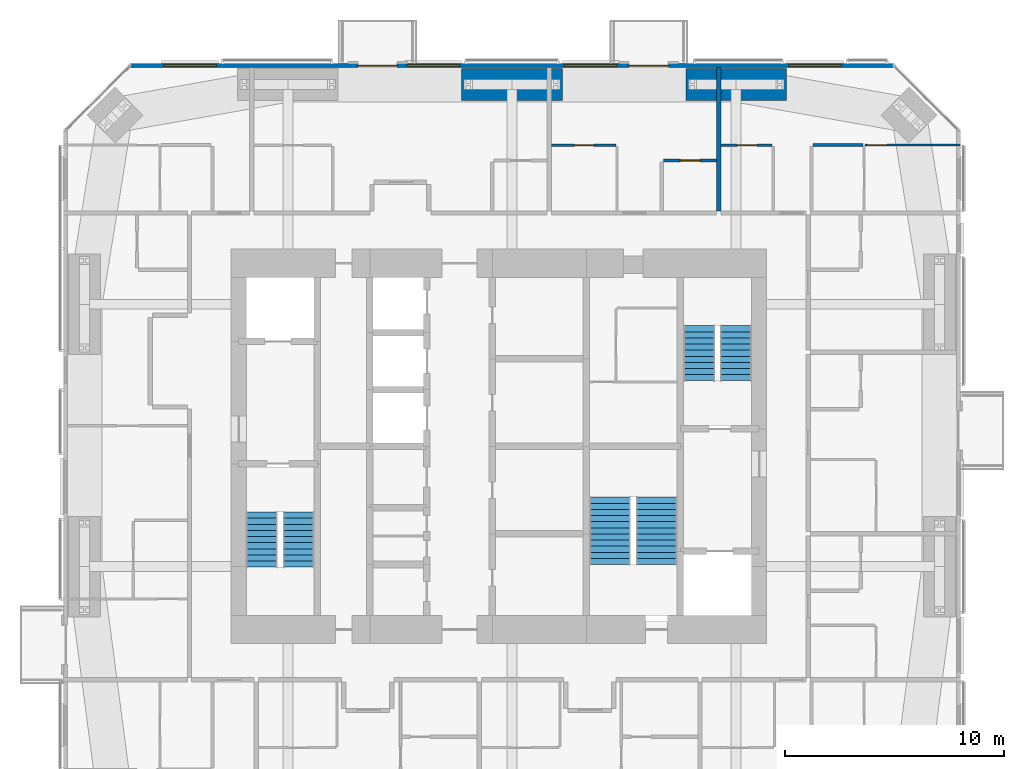
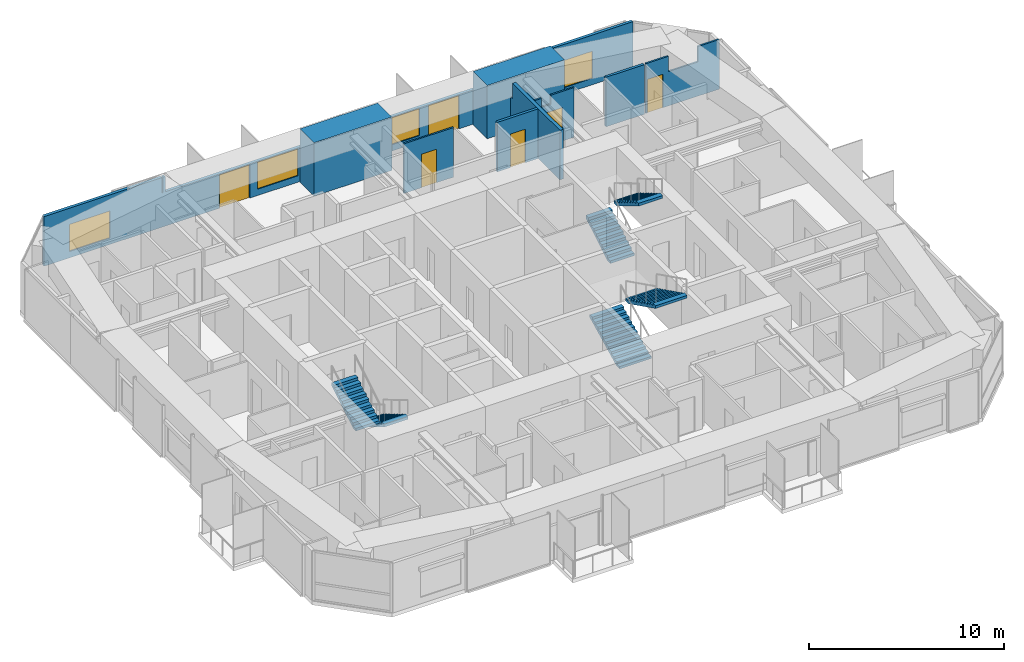
# One storey, part 21 of 22: 9 walls, 6 doors, 6 stair flights, 4 windows, 10 openings, 3 elements without a shape of their own.
"""IFC4 building model written with IfcOpenShell, lengths in metres."""

from ifc_helpers import new_model, si_unit, direction, frame, frame_2d, origin, place, context, subcontext, project, spatial, polyline, rectangle, outline, extrude, material, layer, layer_set, constituent, constituent_set, type_object, element, fill, aggregate, save


model = new_model("IFC4")

# Units and contexts
model_context = context("Model", 3, precision=1e-05, world=origin(), true_north=direction((0.0, 1.0)))
body_context = subcontext(model_context, "Body", "Model", "MODEL_VIEW")
ifc_project = project(units=[si_unit("LENGTHUNIT", "METRE"), si_unit("AREAUNIT", "SQUARE_METRE"), si_unit("VOLUMEUNIT", "CUBIC_METRE"), si_unit("PLANEANGLEUNIT", "RADIAN"), si_unit("MASSUNIT", "GRAM", prefix="KILO")], contexts=[model_context])

# Site, building, storey
site_placement = place(None, origin())
site = spatial("IfcSite", under=ifc_project, at=site_placement, CompositionType="ELEMENT")
building_placement = place(site_placement, origin())
building = spatial("IfcBuilding", under=site, at=building_placement, Name="Jalousie Tower", CompositionType="ELEMENT")
storey_placement = place(building_placement, frame((0.0, 0.0, 161.050048828125)))
storey = spatial("IfcBuildingStorey", under=building, at=storey_placement, Name="L43", CompositionType="ELEMENT", Elevation=161.050048828125)

# Wall, opening, door
ifc_material_1 = material(Name="Concrete block ASTM C90", Category="concrete")
ifc_constituent_1 = constituent(ifc_material_1, Name="Body")
ifc_material_2 = material(Name="Render")
ifc_constituent_2 = constituent(ifc_material_2, Name="Finish")
ifc_constituent_set_1 = constituent_set(constituents=[ifc_constituent_1, ifc_constituent_2])
wall_type_1 = type_object("IfcWallType", Name="BATHROOM WALL 150", PredefinedType="PLUMBINGWALL", material=ifc_constituent_set_1)
wall_1_placement = place(storey_placement, frame((39.425048828125, 31.574951171875, 0.0), z_axis=(0.0, 0.0, 1.0), x_axis=(1.0, 0.0, 0.0)))
wall_1 = element("IfcWall", 1, at=wall_1_placement, inside=storey, type_object=wall_type_1, Name="Bathroom Wall 150 L43", PredefinedType="PLUMBINGWALL", context=body_context, shape_type="SweptSolid", body=[
    extrude(rectangle(XDim=2.425048828125, YDim=0.14990234375, at=frame_2d((1.21240234375, 0.0))), origin(), (0.0, 0.0, 1.0), 3.10986328125),
])
opening_1_placement = place(wall_1_placement, frame((0.77490234375, 0.0, 0.0)))
opening_1 = element("IfcOpeningElement", 2, at=opening_1_placement, cuts=wall_1, Name="Opening D3", PredefinedType="OPENING", context=body_context, shape_type="SweptSolid", body=[
    extrude(rectangle(XDim=0.89990234375, YDim=2.10009765625, at=frame_2d((0.449951171875, 1.050048828125))), frame((0.0, 0.0849609375, 0.0), z_axis=(0.0, -1.0, 0.0), x_axis=(1.0, 0.0, 0.0)), (0.0, 0.0, 1.0), 0.169921875),
])
ifc_material_3 = material(Name="Timber door", Category="wood")
door_type_1 = type_object("IfcDoorType", Name="BATHROOM DOOR 900", OperationType="SINGLE_SWING_LEFT", PredefinedType="DOOR", material=ifc_material_3)
door_1_placement = place(opening_1_placement, frame((0.89990234375, 0.0, 0.0), z_axis=(0.0, 0.0, 1.0), x_axis=(-1.0, 0.0, 0.0)))
door_1 = element("IfcDoor", 3, at=door_1_placement, inside=storey, type_object=door_type_1, Name="Apartment 4307 bathroom door", OperationType="SINGLE_SWING_LEFT", OverallHeight=2.10009765625, OverallWidth=0.89990234375, PredefinedType="DOOR", context=body_context, shape_type="SweptSolid", body=[
    extrude(rectangle(XDim=0.89990234375, YDim=2.10009765625, at=frame_2d((0.449951171875, 1.050048828125))), frame((0.0, 0.02490234375, 0.0), z_axis=(0.0, -1.0, 0.0), x_axis=(1.0, 0.0, 0.0)), (0.0, 0.0, 1.0), 0.050048828125),
])
fill(opening_1, door_1)

# Wall
wall_2_placement = place(storey_placement, frame((46.27490234375, 32.27880859375, 0.0), z_axis=(0.0, 0.0, 1.0), x_axis=(1.0, 0.0, 0.0)))
element("IfcWall", 4, at=wall_2_placement, inside=storey, type_object=wall_type_1, Name="Bathroom Wall 150 L43", PredefinedType="PLUMBINGWALL", context=body_context, shape_type="SweptSolid", body=[
    extrude(rectangle(XDim=2.275146484375, YDim=0.14990234375, at=frame_2d((1.1376953125, 0.0))), origin(), (0.0, 0.0, 1.0), 3.10986328125),
])

# Wall, openings, doors, windows
ifc_material_4 = material(Name="Concrete f'c 40 MPa", Category="concrete")
ifc_constituent_3 = constituent(ifc_material_4, Name="Body")
ifc_material_5 = material(Name="Render, pastel lemon")
ifc_constituent_4 = constituent(ifc_material_5, Name="Finish")
ifc_constituent_set_2 = constituent_set(constituents=[ifc_constituent_3, ifc_constituent_4])
wall_type_2 = type_object("IfcWallType", Name="EXTERNAL WALL 175 LEMON RENDER", PredefinedType="SOLIDWALL", material=ifc_constituent_set_2)
wall_3_placement = place(storey_placement, frame((49.94873046875, 35.91259765625, 0.0), z_axis=(0.0, 0.0, 1.0), x_axis=(-1.0, 0.0, 0.0)))
wall_3 = element("IfcWall", 5, at=wall_3_placement, inside=storey, type_object=wall_type_2, Name="External Wall 175 Lemon Render L43", PredefinedType="SOLIDWALL", context=body_context, shape_type="SweptSolid", body=[
    extrude(outline(polyline([(0.0, 0.0), (34.8974609375, 0.0), (34.8974609375, 3.10986328125), (27.91015625, 3.10986328125), (27.91015625, 2.14990234375), (27.8359375, 2.14990234375), (27.8359375, 3.10986328125), (27.69873046875, 3.10986328125), (27.69873046875, 2.14990234375), (7.19873046875, 2.14990234375), (7.19873046875, 3.10986328125), (7.0615234375, 3.10986328125), (7.0615234375, 2.14990234375), (6.9873046875, 2.14990234375), (6.9873046875, 3.10986328125), (0.0, 3.10986328125), (0.0, 0.0)])), frame((0.0, 0.08740234375, 0.0), z_axis=(0.0, -1.0, 0.0), x_axis=(1.0, 0.0, 0.0)), (0.0, 0.0, 1.0), 0.175048828125),
])
opening_2_placement = place(wall_3_placement, frame((2.389404296875, 0.0, 0.39990234375)))
opening_2 = element("IfcOpeningElement", 6, at=opening_2_placement, cuts=wall_3, Name="Opening W-LIV170", PredefinedType="OPENING", context=body_context, shape_type="SweptSolid", body=[
    extrude(rectangle(XDim=2.39990234375, YDim=1.699951171875, at=frame_2d((1.199951171875, 0.85009765625))), frame((0.0, 0.097412109375, 0.0), z_axis=(0.0, -1.0, 0.0), x_axis=(1.0, 0.0, 0.0)), (0.0, 0.0, 1.0), 0.195068359375),
])
opening_3_placement = place(wall_3_placement, frame((10.298583984375, 0.0, 0.0)))
opening_3 = element("IfcOpeningElement", 7, at=opening_3_placement, cuts=wall_3, Name="Opening D-BAL21", PredefinedType="OPENING", context=body_context, shape_type="SweptSolid", body=[
    extrude(rectangle(XDim=1.800048828125, YDim=2.10009765625, at=frame_2d((0.89990234375, 1.050048828125))), frame((0.0, 0.097412109375, 0.0), z_axis=(0.0, -1.0, 0.0), x_axis=(1.0, 0.0, 0.0)), (0.0, 0.0, 1.0), 0.195068359375),
])
opening_4_placement = place(wall_3_placement, frame((12.648681640625, 0.0, 0.39990234375)))
opening_4 = element("IfcOpeningElement", 8, at=opening_4_placement, cuts=wall_3, Name="Opening W-LIV170", PredefinedType="OPENING", context=body_context, shape_type="SweptSolid", body=[
    extrude(rectangle(XDim=2.39990234375, YDim=1.699951171875, at=frame_2d((1.199951171875, 0.85009765625))), frame((0.0, 0.097412109375, 0.0), z_axis=(0.0, -1.0, 0.0), x_axis=(1.0, 0.0, 0.0)), (0.0, 0.0, 1.0), 0.195068359375),
])
opening_5_placement = place(wall_3_placement, frame((22.69873046875, 0.0, 0.0)))
opening_5 = element("IfcOpeningElement", 9, at=opening_5_placement, cuts=wall_3, Name="Opening D-BAL21", PredefinedType="OPENING", context=body_context, shape_type="SweptSolid", body=[
    extrude(rectangle(XDim=1.800048828125, YDim=2.10009765625, at=frame_2d((0.89990234375, 1.050048828125))), frame((0.0, 0.097412109375, 0.0), z_axis=(0.0, -1.0, 0.0), x_axis=(1.0, 0.0, 0.0)), (0.0, 0.0, 1.0), 0.195068359375),
])
opening_6_placement = place(wall_3_placement, frame((19.8486328125, 0.0, 0.39990234375)))
opening_6 = element("IfcOpeningElement", 10, at=opening_6_placement, cuts=wall_3, Name="Opening W-LIV170", PredefinedType="OPENING", context=body_context, shape_type="SweptSolid", body=[
    extrude(rectangle(XDim=2.39990234375, YDim=1.699951171875, at=frame_2d((1.199951171875, 0.85009765625))), frame((0.0, 0.097412109375, 0.0), z_axis=(0.0, -1.0, 0.0), x_axis=(1.0, 0.0, 0.0)), (0.0, 0.0, 1.0), 0.195068359375),
])
opening_7_placement = place(wall_3_placement, frame((30.97314453125, 0.0, 0.39990234375)))
opening_7 = element("IfcOpeningElement", 11, at=opening_7_placement, cuts=wall_3, Name="Opening W-LIV170", PredefinedType="OPENING", context=body_context, shape_type="SweptSolid", body=[
    extrude(rectangle(XDim=2.39990234375, YDim=1.699951171875, at=frame_2d((1.199951171875, 0.85009765625))), frame((0.0, 0.097412109375, 0.0), z_axis=(0.0, -1.0, 0.0), x_axis=(1.0, 0.0, 0.0)), (0.0, 0.0, 1.0), 0.195068359375),
])
ifc_material_6 = material(Name="Aluminium frame, impact-rated glazing", Category="aluminium")
door_type_2 = type_object("IfcDoorType", Name="BALCONY DOOR 1800x2100", OperationType="SLIDING_TO_LEFT", PredefinedType="DOOR", material=ifc_material_6)
door_2_placement = place(opening_3_placement, origin())
door_2 = element("IfcDoor", 12, at=door_2_placement, inside=storey, type_object=door_type_2, Name="Apartment 4307 studio living and sleeping room balcony door", OperationType="SLIDING_TO_LEFT", OverallHeight=2.10009765625, OverallWidth=1.800048828125, PredefinedType="DOOR", context=body_context, shape_type="SweptSolid", body=[
    extrude(rectangle(XDim=1.800048828125, YDim=2.10009765625, at=frame_2d((0.89990234375, 1.050048828125))), frame((0.0, 0.02490234375, 0.0), z_axis=(0.0, -1.0, 0.0), x_axis=(1.0, 0.0, 0.0)), (0.0, 0.0, 1.0), 0.050048828125),
])
fill(opening_3, door_2)
door_3_placement = place(opening_5_placement, origin())
door_3 = element("IfcDoor", 13, at=door_3_placement, inside=storey, type_object=door_type_2, Name="Apartment 4306 studio living and sleeping room balcony door", OperationType="SLIDING_TO_LEFT", OverallHeight=2.10009765625, OverallWidth=1.800048828125, PredefinedType="DOOR", context=body_context, shape_type="SweptSolid", body=[
    extrude(rectangle(XDim=1.800048828125, YDim=2.10009765625, at=frame_2d((0.89990234375, 1.050048828125))), frame((0.0, 0.02490234375, 0.0), z_axis=(0.0, -1.0, 0.0), x_axis=(1.0, 0.0, 0.0)), (0.0, 0.0, 1.0), 0.050048828125),
])
fill(opening_5, door_3)
ifc_material_7 = material(Name="Aluminium frame, impact-rated glazing", Category="aluminium")
window_type = type_object("IfcWindowType", Name="WINDOW LIV 2400x1700", PartitioningType="DOUBLE_PANEL_VERTICAL", PredefinedType="WINDOW", material=ifc_material_7)
window_1_placement = place(opening_2_placement, origin())
window_1 = element("IfcWindow", 14, at=window_1_placement, inside=storey, type_object=window_type, Name="Apartment 4308 living and dining room window", OverallHeight=1.699951171875, OverallWidth=2.39990234375, PartitioningType="SINGLE_PANEL", PredefinedType="WINDOW", context=body_context, shape_type="SweptSolid", body=[
    extrude(rectangle(XDim=2.39990234375, YDim=1.699951171875, at=frame_2d((1.199951171875, 0.85009765625))), frame((0.0, 0.030029296875, 0.0), z_axis=(0.0, -1.0, 0.0), x_axis=(1.0, 0.0, 0.0)), (0.0, 0.0, 1.0), 0.06005859375),
])
fill(opening_2, window_1)
window_2_placement = place(opening_4_placement, origin())
window_2 = element("IfcWindow", 15, at=window_2_placement, inside=storey, type_object=window_type, Name="Apartment 4307 studio living and sleeping room window", OverallHeight=1.699951171875, OverallWidth=2.39990234375, PartitioningType="SINGLE_PANEL", PredefinedType="WINDOW", context=body_context, shape_type="SweptSolid", body=[
    extrude(rectangle(XDim=2.39990234375, YDim=1.699951171875, at=frame_2d((1.199951171875, 0.85009765625))), frame((0.0, 0.030029296875, 0.0), z_axis=(0.0, -1.0, 0.0), x_axis=(1.0, 0.0, 0.0)), (0.0, 0.0, 1.0), 0.06005859375),
])
fill(opening_4, window_2)
window_3_placement = place(opening_6_placement, origin())
window_3 = element("IfcWindow", 16, at=window_3_placement, inside=storey, type_object=window_type, Name="Apartment 4306 studio living and sleeping room window", OverallHeight=1.699951171875, OverallWidth=2.39990234375, PartitioningType="SINGLE_PANEL", PredefinedType="WINDOW", context=body_context, shape_type="SweptSolid", body=[
    extrude(rectangle(XDim=2.39990234375, YDim=1.699951171875, at=frame_2d((1.199951171875, 0.85009765625))), frame((0.0, 0.030029296875, 0.0), z_axis=(0.0, -1.0, 0.0), x_axis=(1.0, 0.0, 0.0)), (0.0, 0.0, 1.0), 0.06005859375),
])
fill(opening_6, window_3)
window_4_placement = place(opening_7_placement, origin())
window_4 = element("IfcWindow", 17, at=window_4_placement, inside=storey, type_object=window_type, Name="Apartment 4305 living, dining and kitchen window", OverallHeight=1.699951171875, OverallWidth=2.39990234375, PartitioningType="SINGLE_PANEL", PredefinedType="WINDOW", context=body_context, shape_type="SweptSolid", body=[
    extrude(rectangle(XDim=2.39990234375, YDim=1.699951171875, at=frame_2d((1.199951171875, 0.85009765625))), frame((0.0, 0.030029296875, 0.0), z_axis=(0.0, -1.0, 0.0), x_axis=(1.0, 0.0, 0.0)), (0.0, 0.0, 1.0), 0.06005859375),
])
fill(opening_7, window_4)

# Wall, opening, door
ifc_material_8 = material(Name="Gypsum board", Category="gypsum")
ifc_constituent_5 = constituent(ifc_material_8, Name="Body")
ifc_material_9 = material(Name="Light-gauge steel studs ASTM A653 SS Grade 33", Category="steel")
ifc_constituent_6 = constituent(ifc_material_9, Name="Framing")
ifc_constituent_set_3 = constituent_set(constituents=[ifc_constituent_5, ifc_constituent_6])
wall_type_3 = type_object("IfcWallType", Name="PARTITION 100", PredefinedType="PARTITIONING", material=ifc_constituent_set_3)
wall_4_placement = place(storey_placement, frame((34.300048828125, 32.27490234375, 0.0), z_axis=(0.0, 0.0, 1.0), x_axis=(1.0, 0.0, 0.0)))
wall_4 = element("IfcWall", 18, at=wall_4_placement, inside=storey, type_object=wall_type_3, Name="Partition 100 L43", PredefinedType="PARTITIONING", context=body_context, shape_type="SweptSolid", body=[
    extrude(rectangle(XDim=2.949951171875, YDim=0.10009765625, at=frame_2d((1.47509765625, 0.0))), origin(), (0.0, 0.0, 1.0), 3.10986328125),
])
opening_8_placement = place(wall_4_placement, frame((1.050048828125, 0.0, 0.0)))
opening_8 = element("IfcOpeningElement", 19, at=opening_8_placement, cuts=wall_4, Name="Opening D7", PredefinedType="OPENING", context=body_context, shape_type="SweptSolid", body=[
    extrude(rectangle(XDim=0.89990234375, YDim=2.10009765625, at=frame_2d((0.449951171875, 1.050048828125))), frame((0.0, 0.06005859375, 0.0), z_axis=(0.0, -1.0, 0.0), x_axis=(1.0, 0.0, 0.0)), (0.0, 0.0, 1.0), 0.1201171875),
])
ifc_material_10 = material(Name="Timber door", Category="wood")
door_type_3 = type_object("IfcDoorType", Name="INTERNAL DOOR 900", OperationType="SINGLE_SWING_LEFT", PredefinedType="DOOR", material=ifc_material_10)
door_4_placement = place(opening_8_placement, frame((0.89990234375, 0.0, 0.0), z_axis=(0.0, 0.0, 1.0), x_axis=(-1.0, 0.0, 0.0)))
door_4 = element("IfcDoor", 20, at=door_4_placement, inside=storey, type_object=door_type_3, Name="Apartment 4307 kitchen door", OperationType="SINGLE_SWING_LEFT", OverallHeight=2.10009765625, OverallWidth=0.89990234375, PredefinedType="DOOR", context=body_context, shape_type="SweptSolid", body=[
    extrude(rectangle(XDim=0.89990234375, YDim=2.10009765625, at=frame_2d((0.449951171875, 1.050048828125))), frame((0.0, 0.02490234375, 0.0), z_axis=(0.0, -1.0, 0.0), x_axis=(1.0, 0.0, 0.0)), (0.0, 0.0, 1.0), 0.050048828125),
])
fill(opening_8, door_4)

wall_5_placement = place(storey_placement, frame((48.64990234375, 32.27880859375, 0.0), z_axis=(0.0, 0.0, 1.0), x_axis=(1.0, 0.0, 0.0)))
wall_5 = element("IfcWall", 21, at=wall_5_placement, inside=storey, type_object=wall_type_3, Name="Partition 100 L43", PredefinedType="PARTITIONING", context=body_context, shape_type="SweptSolid", body=[
    extrude(outline(polyline([(0.0, 0.0), (4.35009765625, 0.0), (4.35009765625, 3.10986328125), (3.094482421875, 3.10986328125), (3.094482421875, 2.14990234375), (1.352294921875, 2.14990234375), (1.352294921875, 3.10986328125), (0.0, 3.10986328125), (0.0, 0.0)])), frame((0.0, 0.050048828125, 0.0), z_axis=(0.0, -1.0, 0.0), x_axis=(1.0, 0.0, 0.0)), (0.0, 0.0, 1.0), 0.10009765625),
])
opening_9_placement = place(wall_5_placement, frame((0.10009765625, 0.0, 0.0)))
opening_9 = element("IfcOpeningElement", 22, at=opening_9_placement, cuts=wall_5, Name="Opening D2", PredefinedType="OPENING", context=body_context, shape_type="SweptSolid", body=[
    extrude(rectangle(XDim=0.89990234375, YDim=2.10009765625, at=frame_2d((0.449951171875, 1.050048828125))), frame((0.0, 0.06005859375, 0.0), z_axis=(0.0, -1.0, 0.0), x_axis=(1.0, 0.0, 0.0)), (0.0, 0.0, 1.0), 0.1201171875),
])
ifc_material_11 = material(Name="Timber door", Category="wood")
door_type_4 = type_object("IfcDoorType", Name="BEDROOM DOOR 900", OperationType="SINGLE_SWING_LEFT", PredefinedType="DOOR", material=ifc_material_11)
door_5_placement = place(opening_9_placement, frame((0.89990234375, 0.0, 0.0), z_axis=(0.0, 0.0, 1.0), x_axis=(-1.0, 0.0, 0.0)))
door_5 = element("IfcDoor", 23, at=door_5_placement, inside=storey, type_object=door_type_4, Name="Apartment 4308 bedroom 1 door", OperationType="SINGLE_SWING_RIGHT", OverallHeight=2.10009765625, OverallWidth=0.89990234375, PredefinedType="DOOR", context=body_context, shape_type="SweptSolid", body=[
    extrude(rectangle(XDim=0.89990234375, YDim=2.10009765625, at=frame_2d((0.449951171875, 1.050048828125))), frame((0.0, 0.02490234375, 0.0), z_axis=(0.0, -1.0, 0.0), x_axis=(1.0, 0.0, 0.0)), (0.0, 0.0, 1.0), 0.050048828125),
])
fill(opening_9, door_5)

wall_6_placement = place(storey_placement, frame((42.050048828125, 32.27490234375, 0.0), z_axis=(0.0, 0.0, 1.0), x_axis=(1.0, 0.0, 0.0)))
wall_6 = element("IfcWall", 24, at=wall_6_placement, inside=storey, type_object=wall_type_3, Name="Partition 100 L43", PredefinedType="PARTITIONING", context=body_context, shape_type="SweptSolid", body=[
    extrude(outline(polyline([(0.0, 0.0), (2.349853515625, 0.0), (2.35009765625, 3.10986328125), (0.9873046875, 3.10986328125), (0.9873046875, 2.541015625), (0.41259765625, 2.541015625), (0.41259765625, 3.10986328125), (0.0, 3.10986328125), (0.0, 0.0)])), frame((0.0, 0.050048828125, 0.0), z_axis=(0.0, -1.0, 0.0), x_axis=(1.0, 0.0, 0.0)), (0.0, 0.0, 1.0), 0.10009765625),
])
opening_10_placement = place(wall_6_placement, frame((0.75, 0.0, 0.0)))
opening_10 = element("IfcOpeningElement", 25, at=opening_10_placement, cuts=wall_6, Name="Opening D7", PredefinedType="OPENING", context=body_context, shape_type="SweptSolid", body=[
    extrude(rectangle(XDim=0.89990234375, YDim=2.10009765625, at=frame_2d((0.449951171875, 1.050048828125))), frame((0.0, 0.06005859375, 0.0), z_axis=(0.0, -1.0, 0.0), x_axis=(1.0, 0.0, 0.0)), (0.0, 0.0, 1.0), 0.1201171875),
])
door_6_placement = place(opening_10_placement, origin())
door_6 = element("IfcDoor", 26, at=door_6_placement, inside=storey, type_object=door_type_3, Name="Apartment 4308 kitchen door", OperationType="SINGLE_SWING_LEFT", OverallHeight=2.10009765625, OverallWidth=0.89990234375, PredefinedType="DOOR", context=body_context, shape_type="SweptSolid", body=[
    extrude(rectangle(XDim=0.89990234375, YDim=2.10009765625, at=frame_2d((0.449951171875, 1.050048828125))), frame((0.0, 0.02490234375, 0.0), z_axis=(0.0, -1.0, 0.0), x_axis=(1.0, 0.0, 0.0)), (0.0, 0.0, 1.0), 0.050048828125),
])
fill(opening_10, door_6)

# Walls
ifc_material_12 = material(Name="Concrete block ASTM C90", Category="concrete")
ifc_constituent_7 = constituent(ifc_material_12, Name="Body")
ifc_material_13 = material(Name="Render")
ifc_constituent_8 = constituent(ifc_material_13, Name="Finish")
ifc_constituent_set_4 = constituent_set(constituents=[ifc_constituent_7, ifc_constituent_8])
wall_type_4 = type_object("IfcWallType", Name="PARTY WALL 200", PredefinedType="PARTITIONING", material=ifc_constituent_set_4)
wall_7_placement = place(storey_placement, frame((41.949951171875, 35.824951171875, 0.0), z_axis=(0.0, 0.0, 1.0), x_axis=(0.0, -1.0, 0.0)))
element("IfcWall", 27, at=wall_7_placement, inside=storey, type_object=wall_type_4, Name="Party Wall 200 L43", PredefinedType="PARTITIONING", context=body_context, shape_type="SweptSolid", body=[
    extrude(outline(polyline([(0.52880859375, 2.14990234375), (0.0, 2.14990234375), (0.0, 0.0), (0.52880859375, 0.0), (0.52880859375, 0.87646484375), (1.021240234375, 0.87646484375), (1.021240234375, 0.0), (6.550048828125, 0.0), (6.550048828125, 3.10986328125), (1.68505859375, 3.10986328125), (1.68505859375, 2.14990234375), (1.021240234375, 2.14990234375), (1.021240234375, 1.2734375), (0.52880859375, 1.2734375), (0.52880859375, 2.14990234375)])), frame((0.0, 0.10009765625, 0.0), z_axis=(0.0, -1.0, 0.0), x_axis=(1.0, 0.0, 0.0)), (0.0, 0.0, 1.0), 0.199951171875),
])
ifc_material_14 = material(Name="Concrete f'c 120 MPa", Category="concrete")
ifc_layer = layer(ifc_material_14, 1.449951171875)
ifc_layer_set = layer_set([ifc_layer], Name="Concrete f'c 120 MPa")
wall_type_5 = type_object("IfcWallType", Name="RC WALL PIER 1450", PredefinedType="SHEAR", material=ifc_layer_set)
for number, where, z_axis, x_axis, name in (
    (28, (40.449951171875, 35.050048828125, 0.0), (0.0, 0.0, 1.0), (1.0, 0.0, 0.0), "Wall pier 09 L43"),
    (29, (30.199951171875, 35.050048828125, 0.0), (0.0, 0.0, 1.0), (1.0, 0.0, 0.0), "Wall pier 10 L43"),
):
    element("IfcWall", number, at=place(storey_placement, frame(where, z_axis=z_axis, x_axis=x_axis)), inside=storey, type_object=wall_type_5, Name=name, PredefinedType="SHEAR", context=body_context, shape_type="SweptSolid", body=[
        extrude(rectangle(XDim=4.60009765625, YDim=1.449951171875, at=frame_2d((2.300048828125, 0.0))), origin(), (0.0, 0.0, 1.0), 3.349853515625),
    ])

# Stair, stair flights
ifc_material_15 = material(Name="Concrete f'c 40 MPa", Category="concrete")
stair_type = type_object("IfcStairType", Name="EXIT STAIR", PredefinedType="HALF_TURN_STAIR", material=ifc_material_15)
stair_1_placement = place(storey_placement, origin())
stair_1 = element("IfcStair", 30, at=stair_1_placement, inside=storey, type_object=stair_type, Name="Exit stair A L43", PredefinedType="HALF_TURN_STAIR")
ifc_material_16 = material(Name="Concrete f'c 40 MPa", Category="concrete")
stair_flight_type = type_object("IfcStairFlightType", Name="STAIR FLIGHT", PredefinedType="STRAIGHT", material=ifc_material_16)
stair_flight_1_placement = place(storey_placement, frame((22.737548828125, 15.49755859375, 0.0), z_axis=(0.0, 0.0, 1.0), x_axis=(0.0, -1.0, 0.0)))
stair_flight_1 = element("IfcStairFlight", 31, at=stair_flight_1_placement, type_object=stair_flight_type, Name="ST-A flight 1", NumberOfRisers=10, NumberOfTreads=9, PredefinedType="STRAIGHT", RiserHeight=0.1675, TreadLength=0.28, context=body_context, shape_type="SweptSolid", body=[
    extrude(outline(polyline([(0.0, 0.0), (0.0, 0.16748046875), (0.280029296875, 0.16748046875), (0.280029296875, 0.3349609375), (0.56005859375, 0.3349609375), (0.56005859375, 0.50244140625), (0.840087890625, 0.50244140625), (0.840087890625, 0.669921875), (1.1201171875, 0.669921875), (1.1201171875, 0.83740234375), (1.39990234375, 0.83740234375), (1.39990234375, 1.0048828125), (1.679931640625, 1.0048828125), (1.679931640625, 1.172607421875), (1.9599609375, 1.172607421875), (1.9599609375, 1.340087890625), (2.239990234375, 1.340087890625), (2.239990234375, 1.507568359375), (2.52001953125, 1.507568359375), (2.52001953125, 1.675048828125), (2.52001953125, 1.332763671875), (0.2919921875, 0.0), (0.0, 0.0)])), frame((0.0, 0.71240234375, 0.0), z_axis=(0.0, -1.0, 0.0), x_axis=(1.0, 0.0, 0.0)), (0.0, 0.0, 1.0), 1.425048828125),
])
stair_flight_2_placement = place(storey_placement, frame((21.0625, 12.9775390625, 1.675048828125), z_axis=(0.0, 0.0, 1.0), x_axis=(0.0, 1.0, 0.0)))
stair_flight_2 = element("IfcStairFlight", 32, at=stair_flight_2_placement, type_object=stair_flight_type, Name="ST-A flight 2", NumberOfRisers=10, NumberOfTreads=9, PredefinedType="STRAIGHT", RiserHeight=0.1675, TreadLength=0.28, context=body_context, shape_type="SweptSolid", body=[
    extrude(outline(polyline([(0.0, 0.0), (0.0, 0.16748046875), (0.280029296875, 0.16748046875), (0.280029296875, 0.3349609375), (0.56005859375, 0.3349609375), (0.56005859375, 0.50244140625), (0.840087890625, 0.50244140625), (0.840087890625, 0.669921875), (1.1201171875, 0.669921875), (1.1201171875, 0.83740234375), (1.39990234375, 0.83740234375), (1.39990234375, 1.0048828125), (1.679931640625, 1.0048828125), (1.679931640625, 1.172607421875), (1.9599609375, 1.172607421875), (1.9599609375, 1.340087890625), (2.239990234375, 1.340087890625), (2.239990234375, 1.507568359375), (2.52001953125, 1.507568359375), (2.52001953125, 1.675048828125), (2.52001953125, 1.332763671875), (0.2919921875, 0.0), (0.0, 0.0)])), frame((0.0, 0.71240234375, 0.0), z_axis=(0.0, -1.0, 0.0), x_axis=(1.0, 0.0, 0.0)), (0.0, 0.0, 1.0), 1.425048828125),
])
aggregate(stair_1, [stair_flight_1, stair_flight_2])

stair_2_placement = place(storey_placement, origin())
stair_2 = element("IfcStair", 33, at=stair_2_placement, inside=storey, type_object=stair_type, Name="Exit stair B L43", PredefinedType="HALF_TURN_STAIR")
stair_flight_3_placement = place(storey_placement, frame((41.0625, 21.50244140625, 0.0), z_axis=(0.0, 0.0, 1.0), x_axis=(0.0, 1.0, 0.0)))
stair_flight_3 = element("IfcStairFlight", 34, at=stair_flight_3_placement, type_object=stair_flight_type, Name="ST-B flight 1", NumberOfRisers=10, NumberOfTreads=9, PredefinedType="STRAIGHT", RiserHeight=0.1675, TreadLength=0.28, context=body_context, shape_type="SweptSolid", body=[
    extrude(outline(polyline([(0.0, 0.0), (0.0, 0.16748046875), (0.280029296875, 0.16748046875), (0.280029296875, 0.3349609375), (0.56005859375, 0.3349609375), (0.56005859375, 0.50244140625), (0.840087890625, 0.50244140625), (0.840087890625, 0.669921875), (1.1201171875, 0.669921875), (1.1201171875, 0.83740234375), (1.39990234375, 0.83740234375), (1.39990234375, 1.0048828125), (1.679931640625, 1.0048828125), (1.679931640625, 1.172607421875), (1.9599609375, 1.172607421875), (1.9599609375, 1.340087890625), (2.239990234375, 1.340087890625), (2.239990234375, 1.507568359375), (2.52001953125, 1.507568359375), (2.52001953125, 1.675048828125), (2.52001953125, 1.332763671875), (0.2919921875, 0.0), (0.0, 0.0)])), frame((0.0, 0.71240234375, 0.0), z_axis=(0.0, -1.0, 0.0), x_axis=(1.0, 0.0, 0.0)), (0.0, 0.0, 1.0), 1.425048828125),
])
stair_flight_4_placement = place(storey_placement, frame((42.737548828125, 24.0224609375, 1.675048828125), z_axis=(0.0, 0.0, 1.0), x_axis=(0.0, -1.0, 0.0)))
stair_flight_4 = element("IfcStairFlight", 35, at=stair_flight_4_placement, type_object=stair_flight_type, Name="ST-B flight 2", NumberOfRisers=10, NumberOfTreads=9, PredefinedType="STRAIGHT", RiserHeight=0.1675, TreadLength=0.28, context=body_context, shape_type="SweptSolid", body=[
    extrude(outline(polyline([(0.0, 0.0), (0.0, 0.16748046875), (0.280029296875, 0.16748046875), (0.280029296875, 0.3349609375), (0.56005859375, 0.3349609375), (0.56005859375, 0.50244140625), (0.840087890625, 0.50244140625), (0.840087890625, 0.669921875), (1.1201171875, 0.669921875), (1.1201171875, 0.83740234375), (1.39990234375, 0.83740234375), (1.39990234375, 1.0048828125), (1.679931640625, 1.0048828125), (1.679931640625, 1.172607421875), (1.9599609375, 1.172607421875), (1.9599609375, 1.340087890625), (2.239990234375, 1.340087890625), (2.239990234375, 1.507568359375), (2.52001953125, 1.507568359375), (2.52001953125, 1.675048828125), (2.52001953125, 1.332763671875), (0.2919921875, 0.0), (0.0, 0.0)])), frame((0.0, 0.71240234375, 0.0), z_axis=(0.0, -1.0, 0.0), x_axis=(1.0, 0.0, 0.0)), (0.0, 0.0, 1.0), 1.425048828125),
])
aggregate(stair_2, [stair_flight_3, stair_flight_4])

stair_3_placement = place(storey_placement, origin())
stair_3 = element("IfcStair", 36, at=stair_3_placement, inside=storey, type_object=stair_type, Name="Exit stair C L43", PredefinedType="HALF_TURN_STAIR")
stair_flight_5_placement = place(storey_placement, frame((36.987548828125, 13.097412109375, 0.0), z_axis=(0.0, 0.0, 1.0), x_axis=(0.0, 1.0, 0.0)))
stair_flight_5 = element("IfcStairFlight", 37, at=stair_flight_5_placement, type_object=stair_flight_type, Name="ST-C flight 1", NumberOfRisers=12, NumberOfTreads=11, PredefinedType="STRAIGHT", RiserHeight=0.139583333, TreadLength=0.28, context=body_context, shape_type="SweptSolid", body=[
    extrude(outline(polyline([(0.0, 0.0), (0.0, 0.1396484375), (0.280029296875, 0.1396484375), (0.280029296875, 0.279052734375), (0.56005859375, 0.279052734375), (0.56005859375, 0.418701171875), (0.840087890625, 0.418701171875), (0.840087890625, 0.558349609375), (1.1201171875, 0.558349609375), (1.1201171875, 0.697998046875), (1.39990234375, 0.697998046875), (1.39990234375, 0.83740234375), (1.679931640625, 0.83740234375), (1.679931640625, 0.97705078125), (1.9599609375, 0.97705078125), (1.9599609375, 1.11669921875), (2.239990234375, 1.11669921875), (2.239990234375, 1.25634765625), (2.52001953125, 1.25634765625), (2.52001953125, 1.395751953125), (2.800048828125, 1.395751953125), (2.800048828125, 1.535400390625), (3.080078125, 1.535400390625), (3.080078125, 1.675048828125), (3.080078125, 1.367919921875), (0.3359375, 0.0), (0.0, 0.0)])), frame((0.0, 0.9375, 0.0), z_axis=(0.0, -1.0, 0.0), x_axis=(1.0, 0.0, 0.0)), (0.0, 0.0, 1.0), 1.875),
])
stair_flight_6_placement = place(storey_placement, frame((39.112548828125, 16.177490234375, 1.675048828125), z_axis=(0.0, 0.0, 1.0), x_axis=(0.0, -1.0, 0.0)))
stair_flight_6 = element("IfcStairFlight", 38, at=stair_flight_6_placement, type_object=stair_flight_type, Name="ST-C flight 2", NumberOfRisers=12, NumberOfTreads=11, PredefinedType="STRAIGHT", RiserHeight=0.139583333, TreadLength=0.28, context=body_context, shape_type="SweptSolid", body=[
    extrude(outline(polyline([(0.0, 0.0), (0.0, 0.1396484375), (0.280029296875, 0.1396484375), (0.280029296875, 0.279052734375), (0.56005859375, 0.279052734375), (0.56005859375, 0.418701171875), (0.840087890625, 0.418701171875), (0.840087890625, 0.558349609375), (1.1201171875, 0.558349609375), (1.1201171875, 0.697998046875), (1.39990234375, 0.697998046875), (1.39990234375, 0.83740234375), (1.679931640625, 0.83740234375), (1.679931640625, 0.97705078125), (1.9599609375, 0.97705078125), (1.9599609375, 1.11669921875), (2.239990234375, 1.11669921875), (2.239990234375, 1.25634765625), (2.52001953125, 1.25634765625), (2.52001953125, 1.395751953125), (2.800048828125, 1.395751953125), (2.800048828125, 1.535400390625), (3.080078125, 1.535400390625), (3.080078125, 1.675048828125), (3.080078125, 1.367919921875), (0.3359375, 0.0), (0.0, 0.0)])), frame((0.0, 0.9375, 0.0), z_axis=(0.0, -1.0, 0.0), x_axis=(1.0, 0.0, 0.0)), (0.0, 0.0, 1.0), 1.875),
])
aggregate(stair_3, [stair_flight_5, stair_flight_6])

save(model, "model.ifc")
